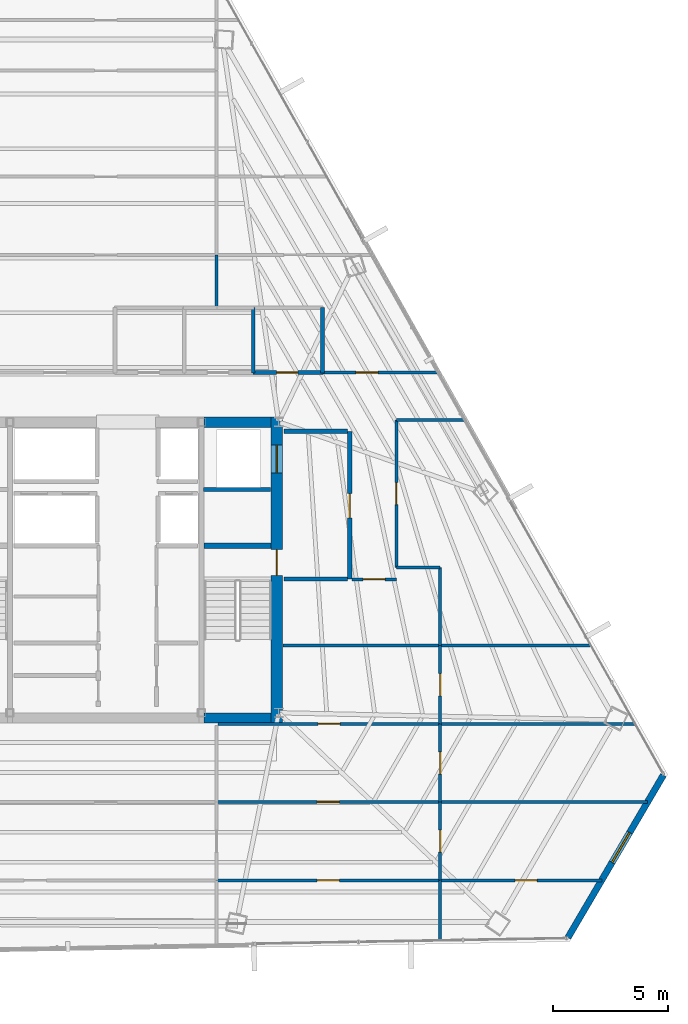
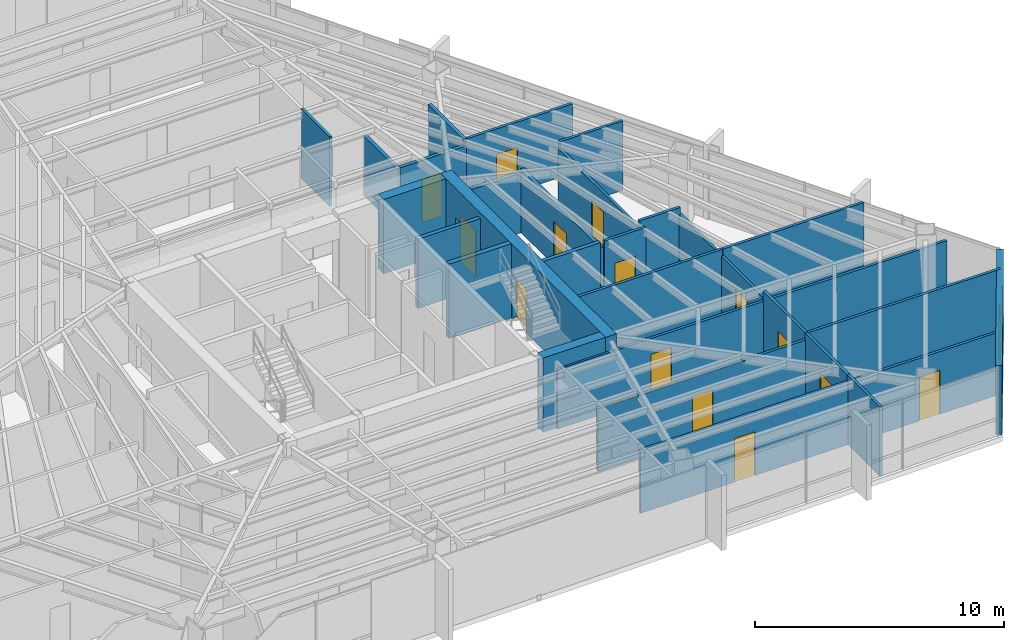
# One storey, part 37 of 42: 31 walls, 14 doors, 1 window, 15 openings.
"""IFC4 building model written with IfcOpenShell, lengths in metres."""

from ifc_helpers import new_model, si_unit, direction, frame, frame_2d, origin, place, context, subcontext, project, spatial, rectangle, extrude, material, layer, layer_set, type_object, element, fill, save


model = new_model("IFC4")

# Units and contexts
model_context = context("Model", 3, precision=1e-05, world=origin(), true_north=direction((0.0, 1.0)))
body_context = subcontext(model_context, "Body", "Model", "MODEL_VIEW")
ifc_project = project(units=[si_unit("LENGTHUNIT", "METRE"), si_unit("AREAUNIT", "SQUARE_METRE"), si_unit("VOLUMEUNIT", "CUBIC_METRE"), si_unit("PLANEANGLEUNIT", "RADIAN"), si_unit("MASSUNIT", "GRAM", prefix="KILO")], contexts=[model_context])

# Site, building, storey
site_placement = place(None, origin())
site = spatial("IfcSite", under=ifc_project, at=site_placement, CompositionType="ELEMENT")
building_placement = place(site_placement, origin())
building = spatial("IfcBuilding", under=site, at=building_placement, Name="Caelisora Broadcast Tower", CompositionType="ELEMENT")
storey_placement = place(building_placement, frame((0.0, 0.0, 202.300048828125)))
storey = spatial("IfcBuildingStorey", under=building, at=storey_placement, Name="L53", CompositionType="ELEMENT", Elevation=202.300048828125)

# Wall, openings, doors
ifc_material_1 = material(Name="Concrete 50 MPa (AS 3600 S50)", Category="concrete")
ifc_layer_1 = layer(ifc_material_1, 0.5, Name="Concrete 50 MPa (AS 3600 S50)")
ifc_layer_set_1 = layer_set([ifc_layer_1], Name="Concrete 50 MPa (AS 3600 S50)")
wall_type_1 = type_object("IfcWallType", Name="CW2", PredefinedType="SHEAR", material=ifc_layer_set_1)
wall_1_placement = place(storey_placement, frame((45.409912109375, 16.949951171875, 0.0), z_axis=(0.0, 0.0, 1.0), x_axis=(0.0, 1.0, 0.0)))
wall_1 = element("IfcWall", 1, at=wall_1_placement, inside=storey, type_object=wall_type_1, Name="L53 core shear wall CW2", PredefinedType="SHEAR", context=body_context, shape_type="SweptSolid", body=[
    extrude(rectangle(XDim=13.275146484375, YDim=0.5, at=frame_2d((6.6376953125, 0.0))), origin(), (0.0, 0.0, 1.0), 3.64990234375),
])
opening_1_placement = place(wall_1_placement, frame((6.39990234375, 0.0, 0.0)))
opening_1 = element("IfcOpeningElement", 2, at=opening_1_placement, cuts=wall_1, Name="Opening FD04", PredefinedType="OPENING", context=body_context, shape_type="SweptSolid", body=[
    extrude(rectangle(XDim=1.1201171875, YDim=2.14990234375, at=frame_2d((0.56005859375, 1.074951171875))), frame((0.0, 0.261962890625, 0.0), z_axis=(0.0, -1.0, 0.0), x_axis=(1.0, 0.0, 0.0)), (0.0, 0.0, 1.0), 0.52392578125),
])
opening_2_placement = place(wall_1_placement, frame((10.85009765625, 0.0, 0.0)))
opening_2 = element("IfcOpeningElement", 3, at=opening_2_placement, cuts=wall_1, Name="Opening LD04", PredefinedType="OPENING", context=body_context, shape_type="SweptSolid", body=[
    extrude(rectangle(XDim=1.199951171875, YDim=2.199951171875, at=frame_2d((0.60009765625, 1.10009765625))), frame((0.0, 0.261962890625, 0.0), z_axis=(0.0, -1.0, 0.0), x_axis=(1.0, 0.0, 0.0)), (0.0, 0.0, 1.0), 0.52392578125),
])
ifc_material_2 = material(Name="Pressurised Fire-Isolated Stair Door", Category="steel")
door_type_1 = type_object("IfcDoorType", Name="FD04", OperationType="NOTDEFINED", PredefinedType="DOOR", material=ifc_material_2)
door_1_placement = place(opening_1_placement, origin())
door_1 = element("IfcDoor", 4, at=door_1_placement, inside=storey, type_object=door_type_1, Name="L53 door FD04 (L53-DR-ST2)", OperationType="SINGLE_SWING_RIGHT", OverallHeight=2.14990234375, OverallWidth=1.1201171875, PredefinedType="DOOR", context=body_context, shape_type="SweptSolid", body=[
    extrude(rectangle(XDim=1.1201171875, YDim=2.14990234375, at=frame_2d((0.56005859375, 1.074951171875))), frame((0.0, 0.02490234375, 0.0), z_axis=(0.0, -1.0, 0.0), x_axis=(1.0, 0.0, 0.0)), (0.0, 0.0, 1.0), 0.050048828125),
])
fill(opening_1, door_1)
ifc_material_3 = material(Name="Emergency Firefighting Lift Sliding Landing Door", Category="steel")
door_type_2 = type_object("IfcDoorType", Name="LD04", OperationType="NOTDEFINED", PredefinedType="DOOR", material=ifc_material_3)
door_2_placement = place(opening_2_placement, origin())
door_2 = element("IfcDoor", 5, at=door_2_placement, inside=storey, type_object=door_type_2, Name="L53 door LD04 (L53-LD-FFL2)", OperationType="SLIDING_TO_RIGHT", OverallHeight=2.199951171875, OverallWidth=1.199951171875, PredefinedType="DOOR", context=body_context, shape_type="SweptSolid", body=[
    extrude(rectangle(XDim=1.199951171875, YDim=2.199951171875, at=frame_2d((0.60009765625, 1.10009765625))), frame((0.0, 0.02490234375, 0.0), z_axis=(0.0, -1.0, 0.0), x_axis=(1.0, 0.0, 0.0)), (0.0, 0.0, 1.0), 0.050048828125),
])
fill(opening_2, door_2)

# Walls
ifc_layer_2 = layer(ifc_material_1, 0.449951171875, Name="Concrete 50 MPa (AS 3600 S50)")
ifc_layer_set_2 = layer_set([ifc_layer_2], Name="Concrete 50 MPa (AS 3600 S50)")
wall_type_2 = type_object("IfcWallType", Name="CW5", PredefinedType="SHEAR", material=ifc_layer_set_2)
for number, where, z_axis, x_axis, name in (
    (6, (42.260009765625, 17.175048828125, 0.0), (0.0, 0.0, 1.0), (1.0, 0.0, 0.0), "L53 core shear wall CW5"),
    (7, (42.260009765625, 30.0, 0.0), (0.0, 0.0, 1.0), (1.0, 0.0, 0.0), "L53 core shear wall CW5"),
):
    element("IfcWall", number, at=place(storey_placement, frame(where, z_axis=z_axis, x_axis=x_axis)), inside=storey, type_object=wall_type_2, Name=name, PredefinedType="SHEAR", context=body_context, shape_type="SweptSolid", body=[
        extrude(rectangle(XDim=2.89990234375, YDim=0.449951171875, at=frame_2d((1.449951171875, 0.0))), origin(), (0.0, 0.0, 1.0), 3.64990234375),
    ])
ifc_layer_3 = layer(ifc_material_1, 0.219970703125, Name="Concrete 50 MPa (AS 3600 S50)")
ifc_layer_set_3 = layer_set([ifc_layer_3], Name="Concrete 50 MPa (AS 3600 S50)")
wall_type_3 = type_object("IfcWallType", Name="CW7", PredefinedType="SHEAR", material=ifc_layer_set_3)
wall_2_placement = place(storey_placement, frame((42.260009765625, 24.639892578125, 0.0), z_axis=(0.0, 0.0, 1.0), x_axis=(1.0, 0.0, 0.0)))
element("IfcWall", 8, at=wall_2_placement, inside=storey, type_object=wall_type_3, Name="L53 core shear wall CW7", PredefinedType="SHEAR", context=body_context, shape_type="SweptSolid", body=[
    extrude(rectangle(XDim=2.89990234375, YDim=0.219970703125, at=frame_2d((1.449951171875, 0.0))), origin(), (0.0, 0.0, 1.0), 3.64990234375),
])

# Wall, opening, window
ifc_material_4 = material(Name="Insulated Terracotta Spandrel Wall System", Category="masonry")
ifc_layer_4 = layer(ifc_material_4, 0.280029296875, Name="Insulated Terracotta Spandrel Wall System")
ifc_layer_set_4 = layer_set([ifc_layer_4], Name="Insulated Terracotta Spandrel Wall System")
wall_type_4 = type_object("IfcWallType", Name="EW1", PredefinedType="STANDARD", material=ifc_layer_set_4)
wall_3_placement = place(storey_placement, frame((62.1728515625, 14.69921875, 0.0), z_axis=(0.0, 0.0, 1.0), x_axis=(-0.506361908282, -0.862321064245, 0.0)))
wall_3 = element("IfcWall", 9, at=wall_3_placement, inside=storey, type_object=wall_type_4, Name="L53 exterior envelope wall EW1", PredefinedType="STANDARD", context=body_context, shape_type="SweptSolid", body=[
    extrude(rectangle(XDim=8.17138671875, YDim=0.280029296875, at=frame_2d((4.085693359375, 0.0))), origin(), (0.0, 0.0, 1.0), 3.39990234375),
])
opening_3_placement = place(wall_3_placement, frame((2.889892578125, 0.0, 0.89990234375)))
opening_3 = element("IfcOpeningElement", 10, at=opening_3_placement, cuts=wall_3, Name="Opening W02", PredefinedType="OPENING", context=body_context, shape_type="SweptSolid", body=[
    extrude(rectangle(XDim=1.5, YDim=1.800048828125, at=frame_2d((0.75, 0.89990234375))), frame((0.0, 0.152099609375, 0.0), z_axis=(0.0, -1.0, 0.0), x_axis=(1.0, 0.0, 0.0)), (0.0, 0.0, 1.0), 0.303955078125),
])
ifc_material_5 = material(Name="Double Glazed Terracotta-Framed Vision Window", Category="glass")
window_type = type_object("IfcWindowType", Name="W02", PartitioningType="SINGLE_PANEL", PredefinedType="WINDOW", material=ifc_material_5)
window_placement = place(opening_3_placement, origin())
window = element("IfcWindow", 11, at=window_placement, inside=storey, type_object=window_type, Name="L53 window W02 (L53-WN-CH0)", OverallHeight=1.800048828125, OverallWidth=1.5, PartitioningType="SINGLE_PANEL", PredefinedType="WINDOW", context=body_context, shape_type="SweptSolid", body=[
    extrude(rectangle(XDim=1.5, YDim=1.800048828125, at=frame_2d((0.75, 0.89990234375))), frame((0.0, 0.030029296875, 0.0), z_axis=(0.0, -1.0, 0.0), x_axis=(1.0, 0.0, 0.0)), (0.0, 0.0, 1.0), 0.06005859375),
])
fill(opening_3, window)

# Wall, opening, door
ifc_material_6 = material(Name="Fire-Rated Gypsum Shaft and Compartment Wall", Category="gypsum")
ifc_layer_5 = layer(ifc_material_6, 0.179931640625, Name="Fire-Rated Gypsum Shaft and Compartment Wall")
ifc_layer_set_5 = layer_set([ifc_layer_5], Name="Fire-Rated Gypsum Shaft and Compartment Wall")
wall_type_5 = type_object("IfcWallType", Name="PW2", PredefinedType="PARTITIONING", material=ifc_layer_set_5)
wall_4_placement = place(storey_placement, frame((48.580078125, 23.199951171875, 0.0), z_axis=(0.0, 0.0, 1.0), x_axis=(0.0, 1.0, 0.0)))
wall_4 = element("IfcWall", 12, at=wall_4_placement, inside=storey, type_object=wall_type_5, Name="L53 fire compartment wall PW2", PredefinedType="PARTITIONING", context=body_context, shape_type="SweptSolid", body=[
    extrude(rectangle(XDim=6.400146484375, YDim=0.179931640625, at=frame_2d((3.2001953125, 0.0))), origin(), (0.0, 0.0, 1.0), 3.07763671875),
])
opening_4_placement = place(wall_4_placement, frame((2.64990234375, 0.0, 0.0)))
opening_4 = element("IfcOpeningElement", 13, at=opening_4_placement, cuts=wall_4, Name="Opening FD02", PredefinedType="OPENING", context=body_context, shape_type="SweptSolid", body=[
    extrude(rectangle(XDim=1.050048828125, YDim=2.14990234375, at=frame_2d((0.52490234375, 1.074951171875))), frame((0.0, 0.10205078125, 0.0), z_axis=(0.0, -1.0, 0.0), x_axis=(1.0, 0.0, 0.0)), (0.0, 0.0, 1.0), 0.203857421875),
])
ifc_material_7 = material(Name="Single-Leaf Steel Fire Lobby Door", Category="steel")
door_type_3 = type_object("IfcDoorType", Name="FD02", OperationType="NOTDEFINED", PredefinedType="DOOR", material=ifc_material_7)
door_3_placement = place(opening_4_placement, origin())
door_3 = element("IfcDoor", 14, at=door_3_placement, inside=storey, type_object=door_type_3, Name="L53 door FD02 (L53-DR-P04D1)", OperationType="SINGLE_SWING_LEFT", OverallHeight=2.14990234375, OverallWidth=1.050048828125, PredefinedType="DOOR", context=body_context, shape_type="SweptSolid", body=[
    extrude(rectangle(XDim=1.050048828125, YDim=2.14990234375, at=frame_2d((0.52490234375, 1.074951171875))), frame((0.0, 0.02490234375, 0.0), z_axis=(0.0, -1.0, 0.0), x_axis=(1.0, 0.0, 0.0)), (0.0, 0.0, 1.0), 0.050048828125),
])
fill(opening_4, door_3)

# Walls
wall_5_placement = place(storey_placement, frame((45.719970703125, 23.199951171875, 0.0), z_axis=(0.0, 0.0, 1.0), x_axis=(1.0, 0.0, 0.0)))
element("IfcWall", 15, at=wall_5_placement, inside=storey, type_object=wall_type_5, Name="L53 fire compartment wall PW2", PredefinedType="PARTITIONING", context=body_context, shape_type="SweptSolid", body=[
    extrude(rectangle(XDim=2.760009765625, YDim=0.179931640625, at=frame_2d((1.3798828125, 0.0))), origin(), (0.0, 0.0, 1.0), 3.39990234375),
])
wall_6_placement = place(storey_placement, frame((45.719970703125, 29.60009765625, 0.0), z_axis=(0.0, 0.0, 1.0), x_axis=(1.0, 0.0, 0.0)))
element("IfcWall", 16, at=wall_6_placement, inside=storey, type_object=wall_type_5, Name="L53 fire compartment wall PW2", PredefinedType="PARTITIONING", context=body_context, shape_type="SweptSolid", body=[
    extrude(rectangle(XDim=2.760009765625, YDim=0.179931640625, at=frame_2d((1.3798828125, 0.0))), origin(), (0.0, 0.0, 1.0), 2.924560546875),
])
wall_7_placement = place(storey_placement, frame((42.239990234375, 27.070068359375, 0.0), z_axis=(0.0, 0.0, 1.0), x_axis=(1.0, 0.0, 0.0)))
element("IfcWall", 17, at=wall_7_placement, inside=storey, type_object=wall_type_5, Name="L53 fire compartment wall PW2", PredefinedType="PARTITIONING", context=body_context, shape_type="SweptSolid", body=[
    extrude(rectangle(XDim=2.89990234375, YDim=0.179931640625, at=frame_2d((1.449951171875, 0.0))), origin(), (0.0, 0.0, 1.0), 3.39990234375),
])

# Wall, opening, door
ifc_material_8 = material(Name="Acoustic Steel-Stud Plasterboard Partition", Category="gypsum")
ifc_layer_6 = layer(ifc_material_8, 0.1298828125, Name="Acoustic Steel-Stud Plasterboard Partition")
ifc_layer_set_6 = layer_set([ifc_layer_6], Name="Acoustic Steel-Stud Plasterboard Partition")
wall_type_6 = type_object("IfcWallType", Name="PW3", PredefinedType="PARTITIONING", material=ifc_layer_set_6)
wall_8_placement = place(storey_placement, frame((42.804931640625, 10.139892578125, 0.0), z_axis=(0.0, 0.0, 1.0), x_axis=(1.0, 0.0, 0.0)))
wall_8 = element("IfcWall", 18, at=wall_8_placement, inside=storey, type_object=wall_type_6, Name="L53 internal partition PW3", PredefinedType="PARTITIONING", context=body_context, shape_type="SweptSolid", body=[
    extrude(rectangle(XDim=9.690185546875, YDim=0.1298828125, at=frame_2d((4.84521484375, 0.0))), origin(), (0.0, 0.0, 1.0), 3.07763671875),
])
opening_5_placement = place(wall_8_placement, frame((4.364990234375, 0.0, 0.0)))
opening_5 = element("IfcOpeningElement", 19, at=opening_5_placement, cuts=wall_8, Name="Opening D01", PredefinedType="OPENING", context=body_context, shape_type="SweptSolid", body=[
    extrude(rectangle(XDim=0.9599609375, YDim=2.14990234375, at=frame_2d((0.47998046875, 1.074951171875))), frame((0.0, 0.076904296875, 0.0), z_axis=(0.0, -1.0, 0.0), x_axis=(1.0, 0.0, 0.0)), (0.0, 0.0, 1.0), 0.15380859375),
])
ifc_material_9 = material(Name="Solid-Core Timber Acoustic Office Door", Category="wood")
door_type_4 = type_object("IfcDoorType", Name="D01", OperationType="NOTDEFINED", PredefinedType="DOOR", material=ifc_material_9)
door_4_placement = place(opening_5_placement, origin())
door_4 = element("IfcDoor", 20, at=door_4_placement, inside=storey, type_object=door_type_4, Name="L53 door D01 (L53-DR-P34D1)", OperationType="SINGLE_SWING_RIGHT", OverallHeight=2.14990234375, OverallWidth=0.9599609375, PredefinedType="DOOR", context=body_context, shape_type="SweptSolid", body=[
    extrude(rectangle(XDim=0.9599609375, YDim=2.14990234375, at=frame_2d((0.47998046875, 1.074951171875))), frame((0.0, 0.02490234375, 0.0), z_axis=(0.0, -1.0, 0.0), x_axis=(1.0, 0.0, 0.0)), (0.0, 0.0, 1.0), 0.050048828125),
])
fill(opening_5, door_4)

wall_9_placement = place(storey_placement, frame((42.804931640625, 13.530029296875, 0.0), z_axis=(0.0, 0.0, 1.0), x_axis=(1.0, 0.0, 0.0)))
wall_9 = element("IfcWall", 21, at=wall_9_placement, inside=storey, type_object=wall_type_6, Name="L53 internal partition PW3", PredefinedType="PARTITIONING", context=body_context, shape_type="SweptSolid", body=[
    extrude(rectangle(XDim=9.690185546875, YDim=0.1298828125, at=frame_2d((4.84521484375, 0.0))), origin(), (0.0, 0.0, 1.0), 3.07763671875),
])
opening_6_placement = place(wall_9_placement, frame((4.364990234375, 0.0, 0.0)))
opening_6 = element("IfcOpeningElement", 22, at=opening_6_placement, cuts=wall_9, Name="Opening D01", PredefinedType="OPENING", context=body_context, shape_type="SweptSolid", body=[
    extrude(rectangle(XDim=0.9599609375, YDim=2.14990234375, at=frame_2d((0.47998046875, 1.074951171875))), frame((0.0, 0.076904296875, 0.0), z_axis=(0.0, -1.0, 0.0), x_axis=(1.0, 0.0, 0.0)), (0.0, 0.0, 1.0), 0.15380859375),
])
door_5_placement = place(opening_6_placement, origin())
door_5 = element("IfcDoor", 23, at=door_5_placement, inside=storey, type_object=door_type_4, Name="L53 door D01 (L53-DR-P35D1)", OperationType="SINGLE_SWING_LEFT", OverallHeight=2.14990234375, OverallWidth=0.9599609375, PredefinedType="DOOR", context=body_context, shape_type="SweptSolid", body=[
    extrude(rectangle(XDim=0.9599609375, YDim=2.14990234375, at=frame_2d((0.47998046875, 1.074951171875))), frame((0.0, 0.02490234375, 0.0), z_axis=(0.0, -1.0, 0.0), x_axis=(1.0, 0.0, 0.0)), (0.0, 0.0, 1.0), 0.050048828125),
])
fill(opening_6, door_5)

wall_10_placement = place(storey_placement, frame((42.875, 16.919921875, 0.0), z_axis=(0.0, 0.0, 1.0), x_axis=(1.0, 0.0, 0.0)))
wall_10 = element("IfcWall", 24, at=wall_10_placement, inside=storey, type_object=wall_type_6, Name="L53 internal partition PW3", PredefinedType="PARTITIONING", context=body_context, shape_type="SweptSolid", body=[
    extrude(rectangle(XDim=9.6201171875, YDim=0.1298828125, at=frame_2d((4.81005859375, 0.0))), origin(), (0.0, 0.0, 1.0), 2.924560546875),
])
opening_7_placement = place(wall_10_placement, frame((4.330078125, 0.0, 0.0)))
opening_7 = element("IfcOpeningElement", 25, at=opening_7_placement, cuts=wall_10, Name="Opening D01", PredefinedType="OPENING", context=body_context, shape_type="SweptSolid", body=[
    extrude(rectangle(XDim=0.9599609375, YDim=2.14990234375, at=frame_2d((0.47998046875, 1.074951171875))), frame((0.0, 0.076904296875, 0.0), z_axis=(0.0, -1.0, 0.0), x_axis=(1.0, 0.0, 0.0)), (0.0, 0.0, 1.0), 0.15380859375),
])
door_6_placement = place(opening_7_placement, origin())
door_6 = element("IfcDoor", 26, at=door_6_placement, inside=storey, type_object=door_type_4, Name="L53 door D01 (L53-DR-P36D1)", OperationType="SINGLE_SWING_RIGHT", OverallHeight=2.14990234375, OverallWidth=0.9599609375, PredefinedType="DOOR", context=body_context, shape_type="SweptSolid", body=[
    extrude(rectangle(XDim=0.9599609375, YDim=2.14990234375, at=frame_2d((0.47998046875, 1.074951171875))), frame((0.0, 0.02490234375, 0.0), z_axis=(0.0, -1.0, 0.0), x_axis=(1.0, 0.0, 0.0)), (0.0, 0.0, 1.0), 0.050048828125),
])
fill(opening_7, door_6)

# Walls
wall_11_placement = place(storey_placement, frame((52.5048828125, 13.530029296875, 0.0), z_axis=(0.0, 0.0, 1.0), x_axis=(1.0, 0.0, 0.0)))
element("IfcWall", 27, at=wall_11_placement, inside=storey, type_object=wall_type_6, Name="L53 internal partition PW3", PredefinedType="PARTITIONING", context=body_context, shape_type="SweptSolid", body=[
    extrude(rectangle(XDim=8.9873046875, YDim=0.1298828125, at=frame_2d((4.49365234375, 0.0))), origin(), (0.0, 0.0, 1.0), 3.39990234375),
])
wall_12_placement = place(storey_placement, frame((52.5048828125, 16.919921875, 0.0), z_axis=(0.0, 0.0, 1.0), x_axis=(1.0, 0.0, 0.0)))
element("IfcWall", 28, at=wall_12_placement, inside=storey, type_object=wall_type_6, Name="L53 internal partition PW3", PredefinedType="PARTITIONING", context=body_context, shape_type="SweptSolid", body=[
    extrude(rectangle(XDim=8.45166015625, YDim=0.1298828125, at=frame_2d((4.225830078125, 0.0))), origin(), (0.0, 0.0, 1.0), 2.924560546875),
])

# Wall, opening, door
wall_13_placement = place(storey_placement, frame((52.5048828125, 10.139892578125, 0.0), z_axis=(0.0, 0.0, 1.0), x_axis=(1.0, 0.0, 0.0)))
wall_13 = element("IfcWall", 29, at=wall_13_placement, inside=storey, type_object=wall_type_6, Name="L53 internal partition PW3", PredefinedType="PARTITIONING", context=body_context, shape_type="SweptSolid", body=[
    extrude(rectangle(XDim=6.99658203125, YDim=0.1298828125, at=frame_2d((3.498291015625, 0.0))), origin(), (0.0, 0.0, 1.0), 3.07763671875),
])
opening_8_placement = place(wall_13_placement, frame((3.239990234375, 0.0, 0.0)))
opening_8 = element("IfcOpeningElement", 30, at=opening_8_placement, cuts=wall_13, Name="Opening D01", PredefinedType="OPENING", context=body_context, shape_type="SweptSolid", body=[
    extrude(rectangle(XDim=0.9599609375, YDim=2.14990234375, at=frame_2d((0.47998046875, 1.074951171875))), frame((0.0, 0.076904296875, 0.0), z_axis=(0.0, -1.0, 0.0), x_axis=(1.0, 0.0, 0.0)), (0.0, 0.0, 1.0), 0.15380859375),
])
door_7_placement = place(opening_8_placement, origin())
door_7 = element("IfcDoor", 31, at=door_7_placement, inside=storey, type_object=door_type_4, Name="L53 door D01 (L53-DR-P51D1)", OperationType="SINGLE_SWING_LEFT", OverallHeight=2.14990234375, OverallWidth=0.9599609375, PredefinedType="DOOR", context=body_context, shape_type="SweptSolid", body=[
    extrude(rectangle(XDim=0.9599609375, YDim=2.14990234375, at=frame_2d((0.47998046875, 1.074951171875))), frame((0.0, 0.02490234375, 0.0), z_axis=(0.0, -1.0, 0.0), x_axis=(1.0, 0.0, 0.0)), (0.0, 0.0, 1.0), 0.050048828125),
])
fill(opening_8, door_7)

# Walls
wall_14_placement = place(storey_placement, frame((45.675048828125, 20.31005859375, 0.0), z_axis=(0.0, 0.0, 1.0), x_axis=(1.0, 0.0, 0.0)))
element("IfcWall", 32, at=wall_14_placement, inside=storey, type_object=wall_type_6, Name="L53 internal partition PW3", PredefinedType="PARTITIONING", context=body_context, shape_type="SweptSolid", body=[
    extrude(rectangle(XDim=6.820068359375, YDim=0.1298828125, at=frame_2d((3.41015625, 0.0))), origin(), (0.0, 0.0, 1.0), 3.39990234375),
])
wall_15_placement = place(storey_placement, frame((52.5048828125, 20.31005859375, 0.0), z_axis=(0.0, 0.0, 1.0), x_axis=(1.0, 0.0, 0.0)))
element("IfcWall", 33, at=wall_15_placement, inside=storey, type_object=wall_type_6, Name="L53 internal partition PW3", PredefinedType="PARTITIONING", context=body_context, shape_type="SweptSolid", body=[
    extrude(rectangle(XDim=6.54150390625, YDim=0.1298828125, at=frame_2d((3.270751953125, 0.0))), origin(), (0.0, 0.0, 1.0), 3.39990234375),
])

# Wall, opening, door
wall_16_placement = place(storey_placement, frame((50.60009765625, 23.705078125, 0.0), z_axis=(0.0, 0.0, 1.0), x_axis=(0.0, 1.0, 0.0)))
wall_16 = element("IfcWall", 34, at=wall_16_placement, inside=storey, type_object=wall_type_6, Name="L53 internal partition PW3", PredefinedType="PARTITIONING", context=body_context, shape_type="SweptSolid", body=[
    extrude(rectangle(XDim=6.389892578125, YDim=0.1298828125, at=frame_2d((3.19482421875, 0.0))), origin(), (0.0, 0.0, 1.0), 3.07763671875),
])
opening_9_placement = place(wall_16_placement, frame((2.715087890625, 0.0, 0.0)))
opening_9 = element("IfcOpeningElement", 35, at=opening_9_placement, cuts=wall_16, Name="Opening D01", PredefinedType="OPENING", context=body_context, shape_type="SweptSolid", body=[
    extrude(rectangle(XDim=0.9599609375, YDim=2.14990234375, at=frame_2d((0.47998046875, 1.074951171875))), frame((0.0, 0.076904296875, 0.0), z_axis=(0.0, -1.0, 0.0), x_axis=(1.0, 0.0, 0.0)), (0.0, 0.0, 1.0), 0.15380859375),
])
door_8_placement = place(opening_9_placement, origin())
door_8 = element("IfcDoor", 36, at=door_8_placement, inside=storey, type_object=door_type_4, Name="L53 door D01 (L53-DR-P56D1)", OperationType="SINGLE_SWING_RIGHT", OverallHeight=2.14990234375, OverallWidth=0.9599609375, PredefinedType="DOOR", context=body_context, shape_type="SweptSolid", body=[
    extrude(rectangle(XDim=0.9599609375, YDim=2.14990234375, at=frame_2d((0.47998046875, 1.074951171875))), frame((0.0, 0.02490234375, 0.0), z_axis=(0.0, -1.0, 0.0), x_axis=(1.0, 0.0, 0.0)), (0.0, 0.0, 1.0), 0.050048828125),
])
fill(opening_9, door_8)

wall_17_placement = place(storey_placement, frame((47.405029296875, 32.14990234375, 0.0), z_axis=(0.0, 0.0, 1.0), x_axis=(1.0, 0.0, 0.0)))
wall_17 = element("IfcWall", 37, at=wall_17_placement, inside=storey, type_object=wall_type_6, Name="L53 internal partition PW3", PredefinedType="PARTITIONING", context=body_context, shape_type="SweptSolid", body=[
    extrude(rectangle(XDim=4.969482421875, YDim=0.1298828125, at=frame_2d((2.48486328125, 0.0))), origin(), (0.0, 0.0, 1.0), 3.39990234375),
])
opening_10_placement = place(wall_17_placement, frame((1.43994140625, 0.0, 0.0)))
opening_10 = element("IfcOpeningElement", 38, at=opening_10_placement, cuts=wall_17, Name="Opening D01", PredefinedType="OPENING", context=body_context, shape_type="SweptSolid", body=[
    extrude(rectangle(XDim=0.9599609375, YDim=2.14990234375, at=frame_2d((0.47998046875, 1.074951171875))), frame((0.0, 0.076904296875, 0.0), z_axis=(0.0, -1.0, 0.0), x_axis=(1.0, 0.0, 0.0)), (0.0, 0.0, 1.0), 0.15380859375),
])
door_9_placement = place(opening_10_placement, origin())
door_9 = element("IfcDoor", 39, at=door_9_placement, inside=storey, type_object=door_type_4, Name="L53 door D01 (L53-DR-P61D1)", OperationType="SINGLE_SWING_LEFT", OverallHeight=2.14990234375, OverallWidth=0.9599609375, PredefinedType="DOOR", context=body_context, shape_type="SweptSolid", body=[
    extrude(rectangle(XDim=0.9599609375, YDim=2.14990234375, at=frame_2d((0.47998046875, 1.074951171875))), frame((0.0, 0.02490234375, 0.0), z_axis=(0.0, -1.0, 0.0), x_axis=(1.0, 0.0, 0.0)), (0.0, 0.0, 1.0), 0.050048828125),
])
fill(opening_10, door_9)

wall_18_placement = place(storey_placement, frame((52.5, 13.534912109375, 0.0), z_axis=(0.0, 0.0, 1.0), x_axis=(0.0, 1.0, 0.0)))
wall_18 = element("IfcWall", 40, at=wall_18_placement, inside=storey, type_object=wall_type_6, Name="L53 internal partition PW3", PredefinedType="PARTITIONING", context=body_context, shape_type="SweptSolid", body=[
    extrude(rectangle(XDim=3.380126953125, YDim=0.1298828125, at=frame_2d((1.68994140625, 0.0))), origin(), (0.0, 0.0, 1.0), 3.39990234375),
])
opening_11_placement = place(wall_18_placement, frame((1.2099609375, 0.0, 0.0)))
opening_11 = element("IfcOpeningElement", 41, at=opening_11_placement, cuts=wall_18, Name="Opening D01", PredefinedType="OPENING", context=body_context, shape_type="SweptSolid", body=[
    extrude(rectangle(XDim=0.9599609375, YDim=2.14990234375, at=frame_2d((0.47998046875, 1.074951171875))), frame((0.0, 0.076904296875, 0.0), z_axis=(0.0, -1.0, 0.0), x_axis=(1.0, 0.0, 0.0)), (0.0, 0.0, 1.0), 0.15380859375),
])
door_10_placement = place(opening_11_placement, origin())
door_10 = element("IfcDoor", 42, at=door_10_placement, inside=storey, type_object=door_type_4, Name="L53 door D01 (L53-DR-P69D1)", OperationType="SINGLE_SWING_LEFT", OverallHeight=2.14990234375, OverallWidth=0.9599609375, PredefinedType="DOOR", context=body_context, shape_type="SweptSolid", body=[
    extrude(rectangle(XDim=0.9599609375, YDim=2.14990234375, at=frame_2d((0.47998046875, 1.074951171875))), frame((0.0, 0.02490234375, 0.0), z_axis=(0.0, -1.0, 0.0), x_axis=(1.0, 0.0, 0.0)), (0.0, 0.0, 1.0), 0.050048828125),
])
fill(opening_11, door_10)

# Wall
wall_19_placement = place(storey_placement, frame((52.5, 23.695068359375, 0.0), z_axis=(0.0, 0.0, 1.0), x_axis=(0.0, -1.0, 0.0)))
element("IfcWall", 43, at=wall_19_placement, inside=storey, type_object=wall_type_6, Name="L53 internal partition PW3", PredefinedType="PARTITIONING", context=body_context, shape_type="SweptSolid", body=[
    extrude(rectangle(XDim=3.380126953125, YDim=0.1298828125, at=frame_2d((1.68994140625, 0.0))), origin(), (0.0, 0.0, 1.0), 3.07763671875),
])

# Wall, opening, door
wall_20_placement = place(storey_placement, frame((52.5, 10.14501953125, 0.0), z_axis=(0.0, 0.0, 1.0), x_axis=(0.0, 1.0, 0.0)))
wall_20 = element("IfcWall", 44, at=wall_20_placement, inside=storey, type_object=wall_type_6, Name="L53 internal partition PW3", PredefinedType="PARTITIONING", context=body_context, shape_type="SweptSolid", body=[
    extrude(rectangle(XDim=3.3798828125, YDim=0.1298828125, at=frame_2d((1.68994140625, 0.0))), origin(), (0.0, 0.0, 1.0), 3.39990234375),
])
opening_12_placement = place(wall_20_placement, frame((1.2099609375, 0.0, 0.0)))
opening_12 = element("IfcOpeningElement", 45, at=opening_12_placement, cuts=wall_20, Name="Opening D01", PredefinedType="OPENING", context=body_context, shape_type="SweptSolid", body=[
    extrude(rectangle(XDim=0.9599609375, YDim=2.14990234375, at=frame_2d((0.47998046875, 1.074951171875))), frame((0.0, 0.076904296875, 0.0), z_axis=(0.0, -1.0, 0.0), x_axis=(1.0, 0.0, 0.0)), (0.0, 0.0, 1.0), 0.15380859375),
])
door_11_placement = place(opening_12_placement, origin())
door_11 = element("IfcDoor", 46, at=door_11_placement, inside=storey, type_object=door_type_4, Name="L53 door D01 (L53-DR-P78D1)", OperationType="SINGLE_SWING_LEFT", OverallHeight=2.14990234375, OverallWidth=0.9599609375, PredefinedType="DOOR", context=body_context, shape_type="SweptSolid", body=[
    extrude(rectangle(XDim=0.9599609375, YDim=2.14990234375, at=frame_2d((0.47998046875, 1.074951171875))), frame((0.0, 0.02490234375, 0.0), z_axis=(0.0, -1.0, 0.0), x_axis=(1.0, 0.0, 0.0)), (0.0, 0.0, 1.0), 0.050048828125),
])
fill(opening_12, door_11)

wall_21_placement = place(storey_placement, frame((52.5, 16.925048828125, 0.0), z_axis=(0.0, 0.0, 1.0), x_axis=(0.0, 1.0, 0.0)))
wall_21 = element("IfcWall", 47, at=wall_21_placement, inside=storey, type_object=wall_type_6, Name="L53 internal partition PW3", PredefinedType="PARTITIONING", context=body_context, shape_type="SweptSolid", body=[
    extrude(rectangle(XDim=3.3798828125, YDim=0.1298828125, at=frame_2d((1.68994140625, 0.0))), origin(), (0.0, 0.0, 1.0), 3.07763671875),
])
opening_13_placement = place(wall_21_placement, frame((1.2099609375, 0.0, 0.0)))
opening_13 = element("IfcOpeningElement", 48, at=opening_13_placement, cuts=wall_21, Name="Opening D01", PredefinedType="OPENING", context=body_context, shape_type="SweptSolid", body=[
    extrude(rectangle(XDim=0.9599609375, YDim=2.14990234375, at=frame_2d((0.47998046875, 1.074951171875))), frame((0.0, 0.076904296875, 0.0), z_axis=(0.0, -1.0, 0.0), x_axis=(1.0, 0.0, 0.0)), (0.0, 0.0, 1.0), 0.15380859375),
])
door_12_placement = place(opening_13_placement, origin())
door_12 = element("IfcDoor", 49, at=door_12_placement, inside=storey, type_object=door_type_4, Name="L53 door D01 (L53-DR-P80D1)", OperationType="SINGLE_SWING_LEFT", OverallHeight=2.14990234375, OverallWidth=0.9599609375, PredefinedType="DOOR", context=body_context, shape_type="SweptSolid", body=[
    extrude(rectangle(XDim=0.9599609375, YDim=2.14990234375, at=frame_2d((0.47998046875, 1.074951171875))), frame((0.0, 0.02490234375, 0.0), z_axis=(0.0, -1.0, 0.0), x_axis=(1.0, 0.0, 0.0)), (0.0, 0.0, 1.0), 0.050048828125),
])
fill(opening_13, door_12)

# Walls
wall_22_placement = place(storey_placement, frame((50.60498046875, 30.10009765625, 0.0), z_axis=(0.0, 0.0, 1.0), x_axis=(1.0, 0.0, 0.0)))
element("IfcWall", 50, at=wall_22_placement, inside=storey, type_object=wall_type_6, Name="L53 internal partition PW3", PredefinedType="PARTITIONING", context=body_context, shape_type="SweptSolid", body=[
    extrude(rectangle(XDim=2.9248046875, YDim=0.1298828125, at=frame_2d((1.46240234375, 0.0))), origin(), (0.0, 0.0, 1.0), 3.39990234375),
])
wall_23_placement = place(storey_placement, frame((52.5, 7.523681640625, 0.0), z_axis=(0.0, 0.0, 1.0), x_axis=(0.0, 1.0, 0.0)))
element("IfcWall", 51, at=wall_23_placement, inside=storey, type_object=wall_type_6, Name="L53 internal partition PW3", PredefinedType="PARTITIONING", context=body_context, shape_type="SweptSolid", body=[
    extrude(rectangle(XDim=2.611328125, YDim=0.1298828125, at=frame_2d((1.3056640625, 0.0))), origin(), (0.0, 0.0, 1.0), 3.39990234375),
])
wall_24_placement = place(storey_placement, frame((42.800048828125, 34.955078125, 0.0), z_axis=(0.0, 0.0, 1.0), x_axis=(0.0, 1.0, 0.0)))
element("IfcWall", 52, at=wall_24_placement, inside=storey, type_object=wall_type_6, Name="L53 internal partition PW3", PredefinedType="PARTITIONING", context=body_context, shape_type="SweptSolid", body=[
    extrude(rectangle(XDim=2.2900390625, YDim=0.1298828125, at=frame_2d((1.14501953125, 0.0))), origin(), (0.0, 0.0, 1.0), 3.39990234375),
])

# Wall, opening, door
wall_25_placement = place(storey_placement, frame((48.675048828125, 23.179931640625, 0.0), z_axis=(0.0, 0.0, 1.0), x_axis=(1.0, 0.0, 0.0)))
wall_25 = element("IfcWall", 53, at=wall_25_placement, inside=storey, type_object=wall_type_6, Name="L53 internal partition PW3", PredefinedType="PARTITIONING", context=body_context, shape_type="SweptSolid", body=[
    extrude(rectangle(XDim=1.919921875, YDim=0.1298828125, at=frame_2d((0.9599609375, 0.0))), origin(), (0.0, 0.0, 1.0), 3.39990234375),
])
opening_14_placement = place(wall_25_placement, frame((0.47998046875, 0.0, 0.0)))
opening_14 = element("IfcOpeningElement", 54, at=opening_14_placement, cuts=wall_25, Name="Opening D01", PredefinedType="OPENING", context=body_context, shape_type="SweptSolid", body=[
    extrude(rectangle(XDim=0.9599609375, YDim=2.14990234375, at=frame_2d((0.47998046875, 1.074951171875))), frame((0.0, 0.076904296875, 0.0), z_axis=(0.0, -1.0, 0.0), x_axis=(1.0, 0.0, 0.0)), (0.0, 0.0, 1.0), 0.15380859375),
])
door_13_placement = place(opening_14_placement, origin())
door_13 = element("IfcDoor", 55, at=door_13_placement, inside=storey, type_object=door_type_4, Name="L53 door D01 (L53-DR-P89D1)", OperationType="SINGLE_SWING_RIGHT", OverallHeight=2.14990234375, OverallWidth=0.9599609375, PredefinedType="DOOR", context=body_context, shape_type="SweptSolid", body=[
    extrude(rectangle(XDim=0.9599609375, YDim=2.14990234375, at=frame_2d((0.47998046875, 1.074951171875))), frame((0.0, 0.02490234375, 0.0), z_axis=(0.0, -1.0, 0.0), x_axis=(1.0, 0.0, 0.0)), (0.0, 0.0, 1.0), 0.050048828125),
])
fill(opening_14, door_13)

# Wall
wall_26_placement = place(storey_placement, frame((50.60498046875, 23.699951171875, 0.0), z_axis=(0.0, 0.0, 1.0), x_axis=(1.0, 0.0, 0.0)))
element("IfcWall", 56, at=wall_26_placement, inside=storey, type_object=wall_type_6, Name="L53 internal partition PW3", PredefinedType="PARTITIONING", context=body_context, shape_type="SweptSolid", body=[
    extrude(rectangle(XDim=1.89013671875, YDim=0.1298828125, at=frame_2d((0.945068359375, 0.0))), origin(), (0.0, 0.0, 1.0), 3.39990234375),
])

# Wall, opening, door
ifc_material_10 = material(Name="Moisture-Resistant Wet Plumbing Service Wall", Category="gypsum")
ifc_layer_7 = layer(ifc_material_10, 0.159912109375, Name="Moisture-Resistant Wet Plumbing Service Wall")
ifc_layer_set_7 = layer_set([ifc_layer_7], Name="Moisture-Resistant Wet Plumbing Service Wall")
wall_type_7 = type_object("IfcWallType", Name="PW4", PredefinedType="PLUMBINGWALL", material=ifc_layer_set_7)
wall_27_placement = place(storey_placement, frame((44.375, 32.14990234375, 0.0), z_axis=(0.0, 0.0, 1.0), x_axis=(1.0, 0.0, 0.0)))
wall_27 = element("IfcWall", 57, at=wall_27_placement, inside=storey, type_object=wall_type_7, Name="L53 wet plumbing wall PW4", PredefinedType="PLUMBINGWALL", context=body_context, shape_type="SweptSolid", body=[
    extrude(rectangle(XDim=3.050048828125, YDim=0.159912109375, at=frame_2d((1.52490234375, 0.0))), origin(), (0.0, 0.0, 1.0), 3.07763671875),
])
opening_15_placement = place(wall_27_placement, frame((1.034912109375, 0.0, 0.0)))
opening_15 = element("IfcOpeningElement", 58, at=opening_15_placement, cuts=wall_27, Name="Opening D03", PredefinedType="OPENING", context=body_context, shape_type="SweptSolid", body=[
    extrude(rectangle(XDim=0.919921875, YDim=2.10009765625, at=frame_2d((0.4599609375, 1.050048828125))), frame((0.0, 0.092041015625, 0.0), z_axis=(0.0, -1.0, 0.0), x_axis=(1.0, 0.0, 0.0)), (0.0, 0.0, 1.0), 0.183837890625),
])
ifc_material_11 = material(Name="Laminate Moisture-Resistant Amenity WC Door", Category="wood")
door_type_5 = type_object("IfcDoorType", Name="D03", OperationType="NOTDEFINED", PredefinedType="DOOR", material=ifc_material_11)
door_14_placement = place(opening_15_placement, origin())
door_14 = element("IfcDoor", 59, at=door_14_placement, inside=storey, type_object=door_type_5, Name="L53 door D03 (L53-DR-P19D1)", OperationType="SINGLE_SWING_RIGHT", OverallHeight=2.10009765625, OverallWidth=0.919921875, PredefinedType="DOOR", context=body_context, shape_type="SweptSolid", body=[
    extrude(rectangle(XDim=0.919921875, YDim=2.10009765625, at=frame_2d((0.4599609375, 1.050048828125))), frame((0.0, 0.02490234375, 0.0), z_axis=(0.0, -1.0, 0.0), x_axis=(1.0, 0.0, 0.0)), (0.0, 0.0, 1.0), 0.050048828125),
])
fill(opening_15, door_14)

# Walls
wall_28_placement = place(storey_placement, frame((44.39990234375, 32.125, 0.0), z_axis=(0.0, 0.0, 1.0), x_axis=(0.0, 1.0, 0.0)))
element("IfcWall", 60, at=wall_28_placement, inside=storey, type_object=wall_type_7, Name="L53 wet plumbing wall PW4", PredefinedType="PLUMBINGWALL", context=body_context, shape_type="SweptSolid", body=[
    extrude(rectangle(XDim=2.85009765625, YDim=0.159912109375, at=frame_2d((1.425048828125, 0.0))), origin(), (0.0, 0.0, 1.0), 2.924560546875),
])
wall_29_placement = place(storey_placement, frame((47.39990234375, 32.125, 0.0), z_axis=(0.0, 0.0, 1.0), x_axis=(0.0, 1.0, 0.0)))
element("IfcWall", 61, at=wall_29_placement, inside=storey, type_object=wall_type_7, Name="L53 wet plumbing wall PW4", PredefinedType="PLUMBINGWALL", context=body_context, shape_type="SweptSolid", body=[
    extrude(rectangle(XDim=2.85009765625, YDim=0.159912109375, at=frame_2d((1.425048828125, 0.0))), origin(), (0.0, 0.0, 1.0), 3.39990234375),
])

save(model, "model.ifc")
